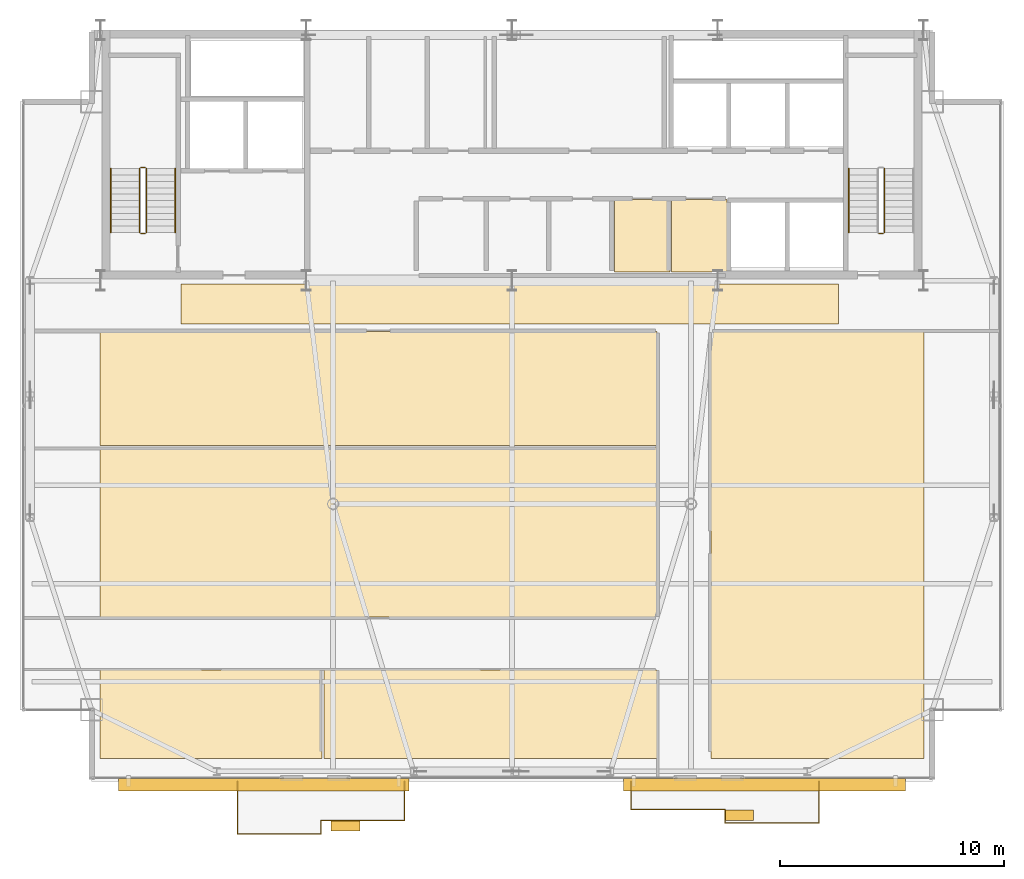
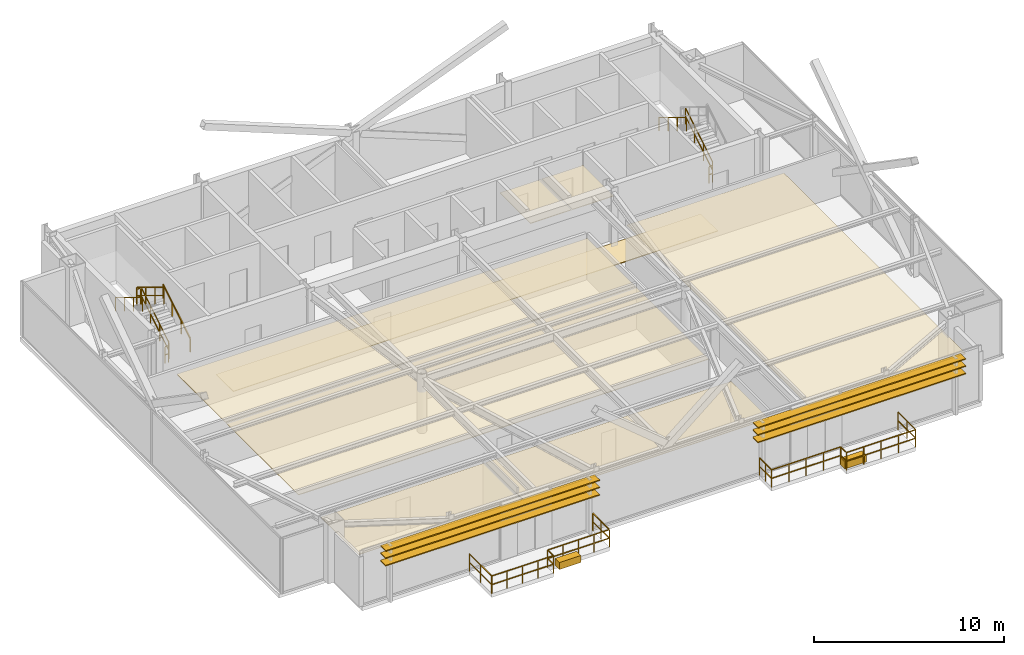
# One storey, part 24 of 25: 19 railings, 10 coverings, 6 shading devices.
"""IFC4 building model written with IfcOpenShell, lengths in metres."""

from ifc_helpers import new_model, si_unit, direction, frame, origin, origin_2d, place, context, subcontext, project, spatial, polyline, rectangle, outline, extrude, source, transform, mapped, material, layer, layer_set, type_object, type_shapes, element, save


model = new_model("IFC4")

# Units and contexts
model_context = context("Model", 3, precision=1e-05, world=origin(), true_north=direction((0.0, 1.0)))
body_context = subcontext(model_context, "Body", "Model", "MODEL_VIEW")
ifc_project = project(units=[si_unit("LENGTHUNIT", "METRE"), si_unit("AREAUNIT", "SQUARE_METRE"), si_unit("VOLUMEUNIT", "CUBIC_METRE"), si_unit("PLANEANGLEUNIT", "RADIAN"), si_unit("MASSUNIT", "GRAM", prefix="KILO")], contexts=[model_context])

# Site, building, storey
site_placement = place(None, origin())
site = spatial("IfcSite", under=ifc_project, at=site_placement, CompositionType="ELEMENT")
building_placement = place(site_placement, origin())
building = spatial("IfcBuilding", under=site, at=building_placement, Name="Varnel Quay Broadcast Tower", CompositionType="ELEMENT")
storey_placement = place(building_placement, frame((0.0, 0.0, 288.800048828125)))
storey = spatial("IfcBuildingStorey", under=building, at=storey_placement, Name="L72", CompositionType="ELEMENT", Elevation=288.800048828125)

# Coverings
ifc_material_1 = material(Name="Micro-Perforated Acoustic Ceiling Tile")
ifc_layer_1 = layer(ifc_material_1, 0.0400390625, Name="Micro-Perforated Acoustic Ceiling Tile")
ifc_layer_set_1 = layer_set([ifc_layer_1], Name="Micro-Perforated Acoustic Ceiling Tile")
covering_type_1 = type_object("IfcCoveringType", Name="Cov_AcousticCeiling", PredefinedType="CEILING", material=ifc_layer_set_1)
covering_1_placement = place(storey_placement, frame((0.0, 0.0, 2.579833984375)))
element("IfcCovering", 1, at=covering_1_placement, inside=storey, type_object=covering_type_1, Name="L72 Cleaners' & Linen Store Acoustic Ceiling", PredefinedType="CEILING", context=body_context, shape_type="SweptSolid", body=[
    extrude(outline(polyline([(38.5849609375, 35.985107421875), (41.06494140625, 35.985107421875), (41.06494140625, 39.215087890625), (38.5849609375, 39.215087890625), (38.5849609375, 35.985107421875)])), origin(), (0.0, 0.0, 1.0), 0.0400390625),
])
covering_2_placement = place(storey_placement, frame((0.0, 0.0, 2.579833984375)))
element("IfcCovering", 2, at=covering_2_placement, inside=storey, type_object=covering_type_1, Name="L72 Telecom IDF Closet Acoustic Ceiling", PredefinedType="CEILING", context=body_context, shape_type="SweptSolid", body=[
    extrude(outline(polyline([(41.135009765625, 35.985107421875), (43.614990234375, 35.985107421875), (43.614990234375, 39.215087890625), (41.135009765625, 39.215087890625), (41.135009765625, 35.985107421875)])), origin(), (0.0, 0.0, 1.0), 0.0400390625),
])
covering_3_placement = place(storey_placement, frame((0.0, 0.0, 2.579833984375)))
element("IfcCovering", 3, at=covering_3_placement, inside=storey, type_object=covering_type_1, Name="L72 Lens & Rigging Store 1 Acoustic Ceiling", PredefinedType="CEILING", context=body_context, shape_type="SweptSolid", body=[
    extrude(outline(polyline([(15.5849609375, 14.22509765625), (25.514892578125, 14.22509765625), (25.514892578125, 18.175048828125), (15.5849609375, 18.175048828125), (15.5849609375, 14.22509765625)])), origin(), (0.0, 0.0, 1.0), 0.0400390625),
])
covering_4_placement = place(storey_placement, frame((0.0, 0.0, 2.579833984375)))
element("IfcCovering", 4, at=covering_4_placement, inside=storey, type_object=covering_type_1, Name="L72 Ingest Vault Store 2 Acoustic Ceiling", PredefinedType="CEILING", context=body_context, shape_type="SweptSolid", body=[
    extrude(outline(polyline([(25.5849609375, 14.22509765625), (40.47509765625, 14.22509765625), (40.47509765625, 18.175048828125), (25.5849609375, 18.175048828125), (25.5849609375, 14.22509765625)])), origin(), (0.0, 0.0, 1.0), 0.0400390625),
])
covering_5_placement = place(storey_placement, frame((0.0, 0.0, 2.579833984375)))
element("IfcCovering", 5, at=covering_5_placement, inside=storey, type_object=covering_type_1, Name="L72 Color Timing Suite 3 Acoustic Ceiling", PredefinedType="CEILING", context=body_context, shape_type="SweptSolid", body=[
    extrude(outline(polyline([(15.5849609375, 20.544921875), (40.47509765625, 20.544921875), (40.47509765625, 28.155029296875), (15.5849609375, 28.155029296875), (15.5849609375, 20.544921875)])), origin(), (0.0, 0.0, 1.0), 0.0400390625),
])
covering_6_placement = place(storey_placement, frame((0.0, 0.0, 2.579833984375)))
element("IfcCovering", 6, at=covering_6_placement, inside=storey, type_object=covering_type_1, Name="L72 Screening Meeting Room 4 Acoustic Ceiling", PredefinedType="CEILING", context=body_context, shape_type="SweptSolid", body=[
    extrude(outline(polyline([(15.5849609375, 28.22509765625), (40.47509765625, 28.22509765625), (40.47509765625, 33.31494140625), (15.5849609375, 33.31494140625), (15.5849609375, 28.22509765625)])), origin(), (0.0, 0.0, 1.0), 0.0400390625),
])
covering_7_placement = place(storey_placement, frame((0.0, 0.0, 2.579833984375)))
element("IfcCovering", 7, at=covering_7_placement, inside=storey, type_object=covering_type_1, Name="L72 Producer Lounge 5 Acoustic Ceiling", PredefinedType="CEILING", context=body_context, shape_type="SweptSolid", body=[
    extrude(outline(polyline([(42.89501953125, 14.22509765625), (52.4150390625, 14.22509765625), (52.4150390625, 33.31494140625), (42.89501953125, 33.31494140625), (42.89501953125, 14.22509765625)])), origin(), (0.0, 0.0, 1.0), 0.0400390625),
])
ifc_material_2 = material(Name="Polished Terrazzo & Broadcast Raised Flooring")
ifc_layer_2 = layer(ifc_material_2, 0.0400390625, Name="Polished Terrazzo & Broadcast Raised Flooring")
ifc_layer_set_2 = layer_set([ifc_layer_2], Name="Polished Terrazzo & Broadcast Raised Flooring")
covering_type_2 = type_object("IfcCoveringType", Name="Cov_TerrazzoFloor", PredefinedType="FLOORING", material=ifc_layer_set_2)
covering_8_placement = place(storey_placement, origin())
element("IfcCovering", 8, at=covering_8_placement, inside=storey, type_object=covering_type_2, Name="L72 Corridor Terrazzo Flooring", PredefinedType="FLOORING", context=body_context, shape_type="SweptSolid", body=[
    extrude(outline(polyline([(19.199951171875, 33.64990234375), (48.60009765625, 33.64990234375), (48.60009765625, 35.449951171875), (19.199951171875, 35.449951171875), (19.199951171875, 33.64990234375)])), origin(), (0.0, 0.0, 1.0), 0.0400390625),
])

# Railings
ifc_material_3 = material(Name="Anodised Bronze Aluminium 6063-T6", Category="aluminium")
railing_type_1 = type_object("IfcRailingType", Name="Rail_Balustrade1150", PredefinedType="BALUSTRADE", material=ifc_material_3)
railing_1_placement = place(storey_placement, frame((21.719970703125, 10.861083984375, 0.0)))
element("IfcRailing", 9, at=railing_1_placement, inside=storey, type_object=railing_type_1, Name="L72 Terrace 1 Guard 1", PredefinedType="BALUSTRADE", context=body_context, shape_type="SweptSolid", body=[
    extrude(rectangle(XDim=0.048095703125, YDim=0.048095703125, at=origin_2d()), frame((0.0, 0.0, 1.1259765625), z_axis=(1.0, 0.0, 0.0), x_axis=(0.0, 1.0, 0.0)), (0.0, 0.0, 1.0), 3.739990234375),
    extrude(rectangle(XDim=0.048095703125, YDim=0.048095703125, at=origin_2d()), frame((0.0, 0.0, 0.574951171875), z_axis=(1.0, 0.0, 0.0), x_axis=(0.0, 1.0, 0.0)), (0.0, 0.0, 1.0), 3.739990234375),
    extrude(rectangle(XDim=0.0419921875, YDim=0.0419921875, at=origin_2d()), origin(), (0.0, 0.0, 1.0), 1.101806640625),
    extrude(rectangle(XDim=0.0419921875, YDim=0.0419921875, at=origin_2d()), frame((0.93505859375, 0.0, 0.0)), (0.0, 0.0, 1.0), 1.101806640625),
    extrude(rectangle(XDim=0.0419921875, YDim=0.0419921875, at=origin_2d()), frame((1.8701171875, 0.0, 0.0)), (0.0, 0.0, 1.0), 1.101806640625),
    extrude(rectangle(XDim=0.0419921875, YDim=0.0419921875, at=origin_2d()), frame((2.804931640625, 0.0, 0.0)), (0.0, 0.0, 1.0), 1.101806640625),
    extrude(rectangle(XDim=0.0419921875, YDim=0.0419921875, at=origin_2d()), frame((3.739990234375, 0.0, 0.0)), (0.0, 0.0, 1.0), 1.101806640625),
])
railing_2_placement = place(storey_placement, frame((25.4599609375, 10.861083984375, 0.0)))
element("IfcRailing", 10, at=railing_2_placement, inside=storey, type_object=railing_type_1, Name="L72 Terrace 1 Guard 2", PredefinedType="BALUSTRADE", context=body_context, shape_type="SweptSolid", body=[
    extrude(rectangle(XDim=0.048095703125, YDim=0.048095703125, at=origin_2d()), frame((0.0, 0.0, 1.1259765625), z_axis=(0.0, 1.0, 0.0), x_axis=(-1.0, 0.0, 0.0)), (0.0, 0.0, 1.0), 0.599853515625),
    extrude(rectangle(XDim=0.048095703125, YDim=0.048095703125, at=origin_2d()), frame((0.0, 0.0, 0.574951171875), z_axis=(0.0, 1.0, 0.0), x_axis=(-1.0, 0.0, 0.0)), (0.0, 0.0, 1.0), 0.599853515625),
    extrude(rectangle(XDim=0.0419921875, YDim=0.0419921875, at=origin_2d()), origin(), (0.0, 0.0, 1.0), 1.101806640625),
    extrude(rectangle(XDim=0.0419921875, YDim=0.0419921875, at=origin_2d()), frame((0.0, 0.599853515625, 0.0)), (0.0, 0.0, 1.0), 1.101806640625),
])
railing_3_placement = place(storey_placement, frame((25.4599609375, 11.4609375, 0.0)))
element("IfcRailing", 11, at=railing_3_placement, inside=storey, type_object=railing_type_1, Name="L72 Terrace 1 Guard 3", PredefinedType="BALUSTRADE", context=body_context, shape_type="SweptSolid", body=[
    extrude(rectangle(XDim=0.048095703125, YDim=0.048095703125, at=origin_2d()), frame((0.0, 0.0, 1.1259765625), z_axis=(1.0, 0.0, 0.0), x_axis=(0.0, 1.0, 0.0)), (0.0, 0.0, 1.0), 3.739990234375),
    extrude(rectangle(XDim=0.048095703125, YDim=0.048095703125, at=origin_2d()), frame((0.0, 0.0, 0.574951171875), z_axis=(1.0, 0.0, 0.0), x_axis=(0.0, 1.0, 0.0)), (0.0, 0.0, 1.0), 3.739990234375),
    extrude(rectangle(XDim=0.0419921875, YDim=0.0419921875, at=origin_2d()), origin(), (0.0, 0.0, 1.0), 1.101806640625),
    extrude(rectangle(XDim=0.0419921875, YDim=0.0419921875, at=origin_2d()), frame((0.93505859375, 0.0, 0.0)), (0.0, 0.0, 1.0), 1.101806640625),
    extrude(rectangle(XDim=0.0419921875, YDim=0.0419921875, at=origin_2d()), frame((1.8701171875, 0.0, 0.0)), (0.0, 0.0, 1.0), 1.101806640625),
    extrude(rectangle(XDim=0.0419921875, YDim=0.0419921875, at=origin_2d()), frame((2.804931640625, 0.0, 0.0)), (0.0, 0.0, 1.0), 1.101806640625),
    extrude(rectangle(XDim=0.0419921875, YDim=0.0419921875, at=origin_2d()), frame((3.739990234375, 0.0, 0.0)), (0.0, 0.0, 1.0), 1.101806640625),
])
railing_4_placement = place(storey_placement, frame((29.199951171875, 11.4609375, 0.0)))
element("IfcRailing", 12, at=railing_4_placement, inside=storey, type_object=railing_type_1, Name="L72 Terrace 1 Guard 4", PredefinedType="BALUSTRADE", context=body_context, shape_type="SweptSolid", body=[
    extrude(rectangle(XDim=0.048095703125, YDim=0.048095703125, at=origin_2d()), frame((0.0, 0.0, 1.1259765625), z_axis=(0.0, 1.0, 0.0), x_axis=(-1.0, 0.0, 0.0)), (0.0, 0.0, 1.0), 1.739013671875),
    extrude(rectangle(XDim=0.048095703125, YDim=0.048095703125, at=origin_2d()), frame((0.0, 0.0, 0.574951171875), z_axis=(0.0, 1.0, 0.0), x_axis=(-1.0, 0.0, 0.0)), (0.0, 0.0, 1.0), 1.739013671875),
    extrude(rectangle(XDim=0.0419921875, YDim=0.0419921875, at=origin_2d()), origin(), (0.0, 0.0, 1.0), 1.101806640625),
    extrude(rectangle(XDim=0.0419921875, YDim=0.0419921875, at=origin_2d()), frame((0.0, 0.86962890625, 0.0)), (0.0, 0.0, 1.0), 1.101806640625),
    extrude(rectangle(XDim=0.0419921875, YDim=0.0419921875, at=origin_2d()), frame((0.0, 1.739013671875, 0.0)), (0.0, 0.0, 1.0), 1.101806640625),
])
railing_5_placement = place(storey_placement, frame((21.719970703125, 13.199951171875, 0.0)))
element("IfcRailing", 13, at=railing_5_placement, inside=storey, type_object=railing_type_1, Name="L72 Terrace 1 Guard 6", PredefinedType="BALUSTRADE", context=body_context, shape_type="SweptSolid", body=[
    extrude(rectangle(XDim=0.048095703125, YDim=0.048095703125, at=origin_2d()), frame((0.0, 0.0, 1.1259765625), z_axis=(0.0, -1.0, 0.0), x_axis=(1.0, 0.0, 0.0)), (0.0, 0.0, 1.0), 2.3388671875),
    extrude(rectangle(XDim=0.048095703125, YDim=0.048095703125, at=origin_2d()), frame((0.0, 0.0, 0.574951171875), z_axis=(0.0, -1.0, 0.0), x_axis=(1.0, 0.0, 0.0)), (0.0, 0.0, 1.0), 2.3388671875),
    extrude(rectangle(XDim=0.0419921875, YDim=0.0419921875, at=origin_2d()), origin(), (0.0, 0.0, 1.0), 1.101806640625),
    extrude(rectangle(XDim=0.0419921875, YDim=0.0419921875, at=origin_2d()), frame((0.0, -1.16943359375, 0.0)), (0.0, 0.0, 1.0), 1.101806640625),
    extrude(rectangle(XDim=0.0419921875, YDim=0.0419921875, at=origin_2d()), frame((0.0, -2.3388671875, 0.0)), (0.0, 0.0, 1.0), 1.101806640625),
])
railing_6_placement = place(storey_placement, frame((39.320068359375, 11.93896484375, 0.0)))
element("IfcRailing", 14, at=railing_6_placement, inside=storey, type_object=railing_type_1, Name="L72 Terrace 2 Guard 1", PredefinedType="BALUSTRADE", context=body_context, shape_type="SweptSolid", body=[
    extrude(rectangle(XDim=0.048095703125, YDim=0.048095703125, at=origin_2d()), frame((0.0, 0.0, 1.1259765625), z_axis=(1.0, 0.0, 0.0), x_axis=(0.0, 1.0, 0.0)), (0.0, 0.0, 1.0), 4.199951171875),
    extrude(rectangle(XDim=0.048095703125, YDim=0.048095703125, at=origin_2d()), frame((0.0, 0.0, 0.574951171875), z_axis=(1.0, 0.0, 0.0), x_axis=(0.0, 1.0, 0.0)), (0.0, 0.0, 1.0), 4.199951171875),
    extrude(rectangle(XDim=0.0419921875, YDim=0.0419921875, at=origin_2d()), origin(), (0.0, 0.0, 1.0), 1.101806640625),
    extrude(rectangle(XDim=0.0419921875, YDim=0.0419921875, at=origin_2d()), frame((1.050048828125, 0.0, 0.0)), (0.0, 0.0, 1.0), 1.101806640625),
    extrude(rectangle(XDim=0.0419921875, YDim=0.0419921875, at=origin_2d()), frame((2.10009765625, 0.0, 0.0)), (0.0, 0.0, 1.0), 1.101806640625),
    extrude(rectangle(XDim=0.0419921875, YDim=0.0419921875, at=origin_2d()), frame((3.14990234375, 0.0, 0.0)), (0.0, 0.0, 1.0), 1.101806640625),
    extrude(rectangle(XDim=0.0419921875, YDim=0.0419921875, at=origin_2d()), frame((4.199951171875, 0.0, 0.0)), (0.0, 0.0, 1.0), 1.101806640625),
])
railing_7_placement = place(storey_placement, frame((43.52001953125, 11.93896484375, 0.0)))
element("IfcRailing", 15, at=railing_7_placement, inside=storey, type_object=railing_type_1, Name="L72 Terrace 2 Guard 2", PredefinedType="BALUSTRADE", context=body_context, shape_type="SweptSolid", body=[
    extrude(rectangle(XDim=0.048095703125, YDim=0.048095703125, at=origin_2d()), frame((0.0, 0.0, 1.1259765625), z_axis=(0.0, -1.0, 0.0), x_axis=(1.0, 0.0, 0.0)), (0.0, 0.0, 1.0), 0.599853515625),
    extrude(rectangle(XDim=0.048095703125, YDim=0.048095703125, at=origin_2d()), frame((0.0, 0.0, 0.574951171875), z_axis=(0.0, -1.0, 0.0), x_axis=(1.0, 0.0, 0.0)), (0.0, 0.0, 1.0), 0.599853515625),
    extrude(rectangle(XDim=0.0419921875, YDim=0.0419921875, at=origin_2d()), origin(), (0.0, 0.0, 1.0), 1.101806640625),
    extrude(rectangle(XDim=0.0419921875, YDim=0.0419921875, at=origin_2d()), frame((0.0, -0.599853515625, 0.0)), (0.0, 0.0, 1.0), 1.101806640625),
])
railing_8_placement = place(storey_placement, frame((43.52001953125, 11.339111328125, 0.0)))
element("IfcRailing", 16, at=railing_8_placement, inside=storey, type_object=railing_type_1, Name="L72 Terrace 2 Guard 3", PredefinedType="BALUSTRADE", context=body_context, shape_type="SweptSolid", body=[
    extrude(rectangle(XDim=0.048095703125, YDim=0.048095703125, at=origin_2d()), frame((0.0, 0.0, 1.1259765625), z_axis=(1.0, 0.0, 0.0), x_axis=(0.0, 1.0, 0.0)), (0.0, 0.0, 1.0), 4.199951171875),
    extrude(rectangle(XDim=0.048095703125, YDim=0.048095703125, at=origin_2d()), frame((0.0, 0.0, 0.574951171875), z_axis=(1.0, 0.0, 0.0), x_axis=(0.0, 1.0, 0.0)), (0.0, 0.0, 1.0), 4.199951171875),
    extrude(rectangle(XDim=0.0419921875, YDim=0.0419921875, at=origin_2d()), origin(), (0.0, 0.0, 1.0), 1.101806640625),
    extrude(rectangle(XDim=0.0419921875, YDim=0.0419921875, at=origin_2d()), frame((1.050048828125, 0.0, 0.0)), (0.0, 0.0, 1.0), 1.101806640625),
    extrude(rectangle(XDim=0.0419921875, YDim=0.0419921875, at=origin_2d()), frame((2.10009765625, 0.0, 0.0)), (0.0, 0.0, 1.0), 1.101806640625),
    extrude(rectangle(XDim=0.0419921875, YDim=0.0419921875, at=origin_2d()), frame((3.14990234375, 0.0, 0.0)), (0.0, 0.0, 1.0), 1.101806640625),
    extrude(rectangle(XDim=0.0419921875, YDim=0.0419921875, at=origin_2d()), frame((4.199951171875, 0.0, 0.0)), (0.0, 0.0, 1.0), 1.101806640625),
])
railing_9_placement = place(storey_placement, frame((47.719970703125, 11.339111328125, 0.0)))
element("IfcRailing", 17, at=railing_9_placement, inside=storey, type_object=railing_type_1, Name="L72 Terrace 2 Guard 4", PredefinedType="BALUSTRADE", context=body_context, shape_type="SweptSolid", body=[
    extrude(rectangle(XDim=0.048095703125, YDim=0.048095703125, at=origin_2d()), frame((0.0, 0.0, 1.1259765625), z_axis=(0.0, 1.0, 0.0), x_axis=(-1.0, 0.0, 0.0)), (0.0, 0.0, 1.0), 1.86083984375),
    extrude(rectangle(XDim=0.048095703125, YDim=0.048095703125, at=origin_2d()), frame((0.0, 0.0, 0.574951171875), z_axis=(0.0, 1.0, 0.0), x_axis=(-1.0, 0.0, 0.0)), (0.0, 0.0, 1.0), 1.86083984375),
    extrude(rectangle(XDim=0.0419921875, YDim=0.0419921875, at=origin_2d()), origin(), (0.0, 0.0, 1.0), 1.101806640625),
    extrude(rectangle(XDim=0.0419921875, YDim=0.0419921875, at=origin_2d()), frame((0.0, 0.930419921875, 0.0)), (0.0, 0.0, 1.0), 1.101806640625),
    extrude(rectangle(XDim=0.0419921875, YDim=0.0419921875, at=origin_2d()), frame((0.0, 1.86083984375, 0.0)), (0.0, 0.0, 1.0), 1.101806640625),
])
railing_10_placement = place(storey_placement, frame((39.320068359375, 13.199951171875, 0.0)))
element("IfcRailing", 18, at=railing_10_placement, inside=storey, type_object=railing_type_1, Name="L72 Terrace 2 Guard 6", PredefinedType="BALUSTRADE", context=body_context, shape_type="SweptSolid", body=[
    extrude(rectangle(XDim=0.048095703125, YDim=0.048095703125, at=origin_2d()), frame((0.0, 0.0, 1.1259765625), z_axis=(0.0, -1.0, 0.0), x_axis=(1.0, 0.0, 0.0)), (0.0, 0.0, 1.0), 1.260986328125),
    extrude(rectangle(XDim=0.048095703125, YDim=0.048095703125, at=origin_2d()), frame((0.0, 0.0, 0.574951171875), z_axis=(0.0, -1.0, 0.0), x_axis=(1.0, 0.0, 0.0)), (0.0, 0.0, 1.0), 1.260986328125),
    extrude(rectangle(XDim=0.0419921875, YDim=0.0419921875, at=origin_2d()), origin(), (0.0, 0.0, 1.0), 1.101806640625),
    extrude(rectangle(XDim=0.0419921875, YDim=0.0419921875, at=origin_2d()), frame((0.0, -0.63037109375, 0.0)), (0.0, 0.0, 1.0), 1.101806640625),
    extrude(rectangle(XDim=0.0419921875, YDim=0.0419921875, at=origin_2d()), frame((0.0, -1.260986328125, 0.0)), (0.0, 0.0, 1.0), 1.101806640625),
])
ifc_material_4 = material(Name="Painted Steel Guard and Handrail CSA G40.21 350W", Category="steel")
railing_type_2 = type_object("IfcRailingType", Name="Rail_StairGuard1100", PredefinedType="GUARDRAIL", material=ifc_material_4)
railing_11_placement = place(storey_placement, frame((17.64990234375, 37.75, 0.172607421875)))
element("IfcRailing", 19, at=railing_11_placement, inside=storey, type_object=railing_type_2, Name="L72 ST-01 stair guard 1", PredefinedType="GUARDRAIL", context=body_context, shape_type="SweptSolid", body=[
    extrude(rectangle(XDim=0.048095703125, YDim=0.048095703125, at=origin_2d()), frame((0.0, 0.0, 1.076171875), z_axis=(0.0, 0.855202751398, 0.518293598264), x_axis=(-1.0, 0.0, 0.0)), (0.0, 0.0, 1.0), 3.332763671875),
    extrude(rectangle(XDim=0.048095703125, YDim=0.048095703125, at=origin_2d()), frame((0.0, 0.0, 0.550048828125), z_axis=(0.0, 0.855202751398, 0.518293598264), x_axis=(-1.0, 0.0, 0.0)), (0.0, 0.0, 1.0), 3.332763671875),
    extrude(rectangle(XDim=0.0419921875, YDim=0.0419921875, at=origin_2d()), origin(), (0.0, 0.0, 1.0), 1.052001953125),
    extrude(rectangle(XDim=0.0419921875, YDim=0.0419921875, at=origin_2d()), frame((0.0, 0.949951171875, 0.57568359375)), (0.0, 0.0, 1.0), 1.052001953125),
    extrude(rectangle(XDim=0.0419921875, YDim=0.0419921875, at=origin_2d()), frame((0.0, 1.900146484375, 1.151611328125)), (0.0, 0.0, 1.0), 1.052001953125),
    extrude(rectangle(XDim=0.0419921875, YDim=0.0419921875, at=origin_2d()), frame((0.0, 2.85009765625, 1.727294921875)), (0.0, 0.0, 1.0), 1.052001953125),
])
railing_12_placement = place(storey_placement, frame((17.60009765625, 40.64990234375, 1.89990234375)))
element("IfcRailing", 20, at=railing_12_placement, inside=storey, type_object=railing_type_2, Name="L72 ST-01 stair guard 2", PredefinedType="GUARDRAIL", context=body_context, shape_type="SweptSolid", body=[
    extrude(rectangle(XDim=0.048095703125, YDim=0.048095703125, at=origin_2d()), frame((0.0, 0.0, 1.076171875), z_axis=(-1.0, 0.0, 0.0), x_axis=(0.0, -1.0, 0.0)), (0.0, 0.0, 1.0), 0.2001953125),
    extrude(rectangle(XDim=0.048095703125, YDim=0.048095703125, at=origin_2d()), frame((0.0, 0.0, 0.550048828125), z_axis=(-1.0, 0.0, 0.0), x_axis=(0.0, -1.0, 0.0)), (0.0, 0.0, 1.0), 0.2001953125),
    extrude(rectangle(XDim=0.0419921875, YDim=0.0419921875, at=origin_2d()), origin(), (0.0, 0.0, 1.0), 1.052001953125),
    extrude(rectangle(XDim=0.0419921875, YDim=0.0419921875, at=origin_2d()), frame((-0.2001953125, 0.0, 0.0)), (0.0, 0.0, 1.0), 1.052001953125),
])
railing_13_placement = place(storey_placement, frame((17.35009765625, 40.60009765625, 2.07275390625)))
element("IfcRailing", 21, at=railing_13_placement, inside=storey, type_object=railing_type_2, Name="L72 ST-01 stair guard 3", PredefinedType="GUARDRAIL", context=body_context, shape_type="SweptSolid", body=[
    extrude(rectangle(XDim=0.048095703125, YDim=0.048095703125, at=origin_2d()), frame((0.0, 0.0, 1.076171875), z_axis=(0.0, -0.855202751398, 0.518293598264), x_axis=(1.0, 0.0, 0.0)), (0.0, 0.0, 1.0), 3.332763671875),
    extrude(rectangle(XDim=0.048095703125, YDim=0.048095703125, at=origin_2d()), frame((0.0, 0.0, 0.550048828125), z_axis=(0.0, -0.855202751398, 0.518293598264), x_axis=(1.0, 0.0, 0.0)), (0.0, 0.0, 1.0), 3.332763671875),
    extrude(rectangle(XDim=0.0419921875, YDim=0.0419921875, at=origin_2d()), origin(), (0.0, 0.0, 1.0), 1.052001953125),
    extrude(rectangle(XDim=0.0419921875, YDim=0.0419921875, at=origin_2d()), frame((0.0, -0.949951171875, 0.57568359375)), (0.0, 0.0, 1.0), 1.052001953125),
    extrude(rectangle(XDim=0.0419921875, YDim=0.0419921875, at=origin_2d()), frame((0.0, -1.900146484375, 1.151611328125)), (0.0, 0.0, 1.0), 1.052001953125),
    extrude(rectangle(XDim=0.0419921875, YDim=0.0419921875, at=origin_2d()), frame((0.0, -2.85009765625, 1.727294921875)), (0.0, 0.0, 1.0), 1.052001953125),
])
railing_14_placement = place(storey_placement, frame((17.60009765625, 37.699951171875, 0.0)))
element("IfcRailing", 22, at=railing_14_placement, inside=storey, type_object=railing_type_2, Name="L72 ST-01 stair guard 4", PredefinedType="GUARDRAIL", context=body_context, shape_type="SweptSolid", body=[
    extrude(rectangle(XDim=0.048095703125, YDim=0.048095703125, at=origin_2d()), frame((0.0, 0.0, 1.076171875), z_axis=(-1.0, 0.0, 0.0), x_axis=(0.0, -1.0, 0.0)), (0.0, 0.0, 1.0), 0.2001953125),
    extrude(rectangle(XDim=0.048095703125, YDim=0.048095703125, at=origin_2d()), frame((0.0, 0.0, 0.550048828125), z_axis=(-1.0, 0.0, 0.0), x_axis=(0.0, -1.0, 0.0)), (0.0, 0.0, 1.0), 0.2001953125),
    extrude(rectangle(XDim=0.0419921875, YDim=0.0419921875, at=origin_2d()), origin(), (0.0, 0.0, 1.0), 1.052001953125),
    extrude(rectangle(XDim=0.0419921875, YDim=0.0419921875, at=origin_2d()), frame((-0.2001953125, 0.0, 0.0)), (0.0, 0.0, 1.0), 1.052001953125),
])
railing_15_placement = place(storey_placement, frame((50.64990234375, 37.75, 0.172607421875)))
element("IfcRailing", 23, at=railing_15_placement, inside=storey, type_object=railing_type_2, Name="L72 ST-02 stair guard 1", PredefinedType="GUARDRAIL", context=body_context, shape_type="SweptSolid", body=[
    extrude(rectangle(XDim=0.048095703125, YDim=0.048095703125, at=origin_2d()), frame((0.0, 0.0, 1.076171875), z_axis=(0.0, 0.855202751398, 0.518293598264), x_axis=(-1.0, 0.0, 0.0)), (0.0, 0.0, 1.0), 3.332763671875),
    extrude(rectangle(XDim=0.048095703125, YDim=0.048095703125, at=origin_2d()), frame((0.0, 0.0, 0.550048828125), z_axis=(0.0, 0.855202751398, 0.518293598264), x_axis=(-1.0, 0.0, 0.0)), (0.0, 0.0, 1.0), 3.332763671875),
    extrude(rectangle(XDim=0.0419921875, YDim=0.0419921875, at=origin_2d()), origin(), (0.0, 0.0, 1.0), 1.052001953125),
    extrude(rectangle(XDim=0.0419921875, YDim=0.0419921875, at=origin_2d()), frame((0.0, 0.949951171875, 0.57568359375)), (0.0, 0.0, 1.0), 1.052001953125),
    extrude(rectangle(XDim=0.0419921875, YDim=0.0419921875, at=origin_2d()), frame((0.0, 1.900146484375, 1.151611328125)), (0.0, 0.0, 1.0), 1.052001953125),
    extrude(rectangle(XDim=0.0419921875, YDim=0.0419921875, at=origin_2d()), frame((0.0, 2.85009765625, 1.727294921875)), (0.0, 0.0, 1.0), 1.052001953125),
])
railing_16_placement = place(storey_placement, frame((50.60009765625, 37.699951171875, 0.0)))
element("IfcRailing", 24, at=railing_16_placement, inside=storey, type_object=railing_type_2, Name="L72 ST-02 stair guard 4", PredefinedType="GUARDRAIL", context=body_context, shape_type="SweptSolid", body=[
    extrude(rectangle(XDim=0.048095703125, YDim=0.048095703125, at=origin_2d()), frame((0.0, 0.0, 1.076171875), z_axis=(-1.0, 0.0, 0.0), x_axis=(0.0, -1.0, 0.0)), (0.0, 0.0, 1.0), 0.2001953125),
    extrude(rectangle(XDim=0.048095703125, YDim=0.048095703125, at=origin_2d()), frame((0.0, 0.0, 0.550048828125), z_axis=(-1.0, 0.0, 0.0), x_axis=(0.0, -1.0, 0.0)), (0.0, 0.0, 1.0), 0.2001953125),
    extrude(rectangle(XDim=0.0419921875, YDim=0.0419921875, at=origin_2d()), origin(), (0.0, 0.0, 1.0), 1.052001953125),
    extrude(rectangle(XDim=0.0419921875, YDim=0.0419921875, at=origin_2d()), frame((-0.2001953125, 0.0, 0.0)), (0.0, 0.0, 1.0), 1.052001953125),
])
railing_type_3 = type_object("IfcRailingType", Name="Rail_StairHandrail900", PredefinedType="HANDRAIL", material=ifc_material_4)
railing_17_placement = place(storey_placement, frame((18.949951171875, 37.75, 0.172607421875)))
element("IfcRailing", 25, at=railing_17_placement, inside=storey, type_object=railing_type_3, Name="L72 ST-01 stair handrail 1", PredefinedType="HANDRAIL", context=body_context, shape_type="SweptSolid", body=[
    extrude(rectangle(XDim=0.048095703125, YDim=0.048095703125, at=origin_2d()), frame((0.0, 0.0, 0.8759765625), z_axis=(0.0, 0.855202751398, 0.518293598264), x_axis=(-1.0, 0.0, 0.0)), (0.0, 0.0, 1.0), 3.332763671875),
    extrude(rectangle(XDim=0.0419921875, YDim=0.0419921875, at=origin_2d()), origin(), (0.0, 0.0, 1.0), 0.851806640625),
    extrude(rectangle(XDim=0.0419921875, YDim=0.0419921875, at=origin_2d()), frame((0.0, 0.949951171875, 0.57568359375)), (0.0, 0.0, 1.0), 0.851806640625),
    extrude(rectangle(XDim=0.0419921875, YDim=0.0419921875, at=origin_2d()), frame((0.0, 1.900146484375, 1.151611328125)), (0.0, 0.0, 1.0), 0.851806640625),
    extrude(rectangle(XDim=0.0419921875, YDim=0.0419921875, at=origin_2d()), frame((0.0, 2.85009765625, 1.727294921875)), (0.0, 0.0, 1.0), 0.851806640625),
])
for number, where, name in (
    (26, (16.050048828125, 40.60009765625, 2.07275390625), "L72 ST-01 stair handrail 2"),
    (27, (49.050048828125, 40.60009765625, 2.07275390625), "L72 ST-02 stair handrail 2"),
):
    element("IfcRailing", number, at=place(storey_placement, frame(where)), inside=storey, type_object=railing_type_3, Name=name, PredefinedType="HANDRAIL", context=body_context, shape_type="SweptSolid", body=[
        extrude(rectangle(XDim=0.048095703125, YDim=0.048095703125, at=origin_2d()), frame((0.0, 0.0, 0.8759765625), z_axis=(0.0, -0.855202751398, 0.518293598264), x_axis=(1.0, 0.0, 0.0)), (0.0, 0.0, 1.0), 3.332763671875),
        extrude(rectangle(XDim=0.0419921875, YDim=0.0419921875, at=origin_2d()), origin(), (0.0, 0.0, 1.0), 0.851806640625),
        extrude(rectangle(XDim=0.0419921875, YDim=0.0419921875, at=origin_2d()), frame((0.0, -0.949951171875, 0.57568359375)), (0.0, 0.0, 1.0), 0.851806640625),
        extrude(rectangle(XDim=0.0419921875, YDim=0.0419921875, at=origin_2d()), frame((0.0, -1.900146484375, 1.151611328125)), (0.0, 0.0, 1.0), 0.851806640625),
        extrude(rectangle(XDim=0.0419921875, YDim=0.0419921875, at=origin_2d()), frame((0.0, -2.85009765625, 1.727294921875)), (0.0, 0.0, 1.0), 0.851806640625),
    ])

# Coverings
ifc_material_5 = material(Name="Bronze-Terracotta Extruded Ceramic Blade", Category="masonry")
ifc_layer_3 = layer(ifc_material_5, 0.449951171875, Name="Bronze-Terracotta Extruded Ceramic Blade")
ifc_layer_set_3 = layer_set([ifc_layer_3], Name="Bronze-Terracotta Extruded Ceramic Blade")
covering_type_3 = type_object("IfcCoveringType", Name="Cov_BronzePlanter", PredefinedType="CLADDING", material=ifc_layer_set_3)
shared_shape_1 = source(origin(), body_context, "Body", "SweptSolid", [
    extrude(rectangle(XDim=1.300048828125, YDim=0.449951171875, at=origin_2d()), origin(), (0.0, 0.0, 1.0), 0.449951171875),
])
type_shapes(covering_type_3, [shared_shape_1])
for number, where, z_axis, x_axis, name in (
    (28, (26.550048828125, 11.2109375, 0.0), (0.0, 0.0, 1.0), (1.0, 0.0, 0.0), "L72 Terrace 1 Bronze Planter"),
    (29, (44.14990234375, 11.68896484375, 0.0), (0.0, 0.0, 1.0), (1.0, 0.0, 0.0), "L72 Terrace 2 Bronze Planter"),
):
    element("IfcCovering", number, at=place(storey_placement, frame(where, z_axis=z_axis, x_axis=x_axis)), inside=storey, type_object=covering_type_3, Name=name, PredefinedType="CLADDING", context=body_context, shape_type="MappedRepresentation", body=[
        mapped(shared_shape_1, transform((0.0, 0.0, 0.0), x_axis=(1.0, 0.0, 0.0), y_axis=(0.0, 1.0, 0.0), z_axis=(0.0, 0.0, 1.0), scale=1.0)),
    ])

# Shading devices
ifc_layer_4 = layer(ifc_material_5, 0.06494140625, Name="Bronze-Terracotta Extruded Ceramic Blade")
ifc_layer_set_4 = layer_set([ifc_layer_4], Name="Bronze-Terracotta Extruded Ceramic Blade")
shading_device_type = type_object("IfcShadingDeviceType", Name="Shade_LouvreBlade550", PredefinedType="JALOUSIE", material=ifc_layer_set_4)
shared_shape_2 = source(origin(), body_context, "Body", "SweptSolid", [
    extrude(rectangle(XDim=12.987060546875, YDim=0.550048828125, at=origin_2d()), origin(), (0.0, 0.0, 1.0), 0.06494140625),
])
for number, where, z_axis, x_axis, name in (
    (30, (22.89306640625, 13.06005859375, 2.447509765625), (0.0, 0.0, 1.0), (1.0, 0.0, 0.0), "L72 Lobe 1 Horizontal Louvre Blade 1"),
    (31, (22.89306640625, 13.06005859375, 2.927490234375), (0.0, 0.0, 1.0), (1.0, 0.0, 0.0), "L72 Lobe 1 Horizontal Louvre Blade 2"),
    (32, (22.89306640625, 13.06005859375, 3.387451171875), (0.0, 0.0, 1.0), (1.0, 0.0, 0.0), "L72 Lobe 1 Horizontal Louvre Blade 3"),
):
    element("IfcShadingDevice", number, at=place(storey_placement, frame(where, z_axis=z_axis, x_axis=x_axis)), inside=storey, type_object=shading_device_type, Name=name, PredefinedType="JALOUSIE", context=body_context, shape_type="MappedRepresentation", body=[
        mapped(shared_shape_2, transform((0.0, 0.0, 0.0), x_axis=(1.0, 0.0, 0.0), y_axis=(0.0, 1.0, 0.0), z_axis=(0.0, 0.0, 1.0), scale=1.0)),
    ])
shared_shape_3 = source(origin(), body_context, "Body", "SweptSolid", [
    extrude(rectangle(XDim=12.613037109375, YDim=0.550048828125, at=origin_2d()), origin(), (0.0, 0.0, 1.0), 0.06494140625),
])
type_shapes(shading_device_type, [shared_shape_2, shared_shape_3])
for number, where, z_axis, x_axis, name in (
    (33, (45.2939453125, 13.06005859375, 2.447509765625), (0.0, 0.0, 1.0), (1.0, 0.0, 0.0), "L72 Lobe 2 Horizontal Louvre Blade 1"),
    (34, (45.2939453125, 13.06005859375, 2.927490234375), (0.0, 0.0, 1.0), (1.0, 0.0, 0.0), "L72 Lobe 2 Horizontal Louvre Blade 2"),
    (35, (45.2939453125, 13.06005859375, 3.387451171875), (0.0, 0.0, 1.0), (1.0, 0.0, 0.0), "L72 Lobe 2 Horizontal Louvre Blade 3"),
):
    element("IfcShadingDevice", number, at=place(storey_placement, frame(where, z_axis=z_axis, x_axis=x_axis)), inside=storey, type_object=shading_device_type, Name=name, PredefinedType="JALOUSIE", context=body_context, shape_type="MappedRepresentation", body=[
        mapped(shared_shape_3, transform((0.0, 0.0, 0.0), x_axis=(1.0, 0.0, 0.0), y_axis=(0.0, 1.0, 0.0), z_axis=(0.0, 0.0, 1.0), scale=1.0)),
    ])

save(model, "model.ifc")
